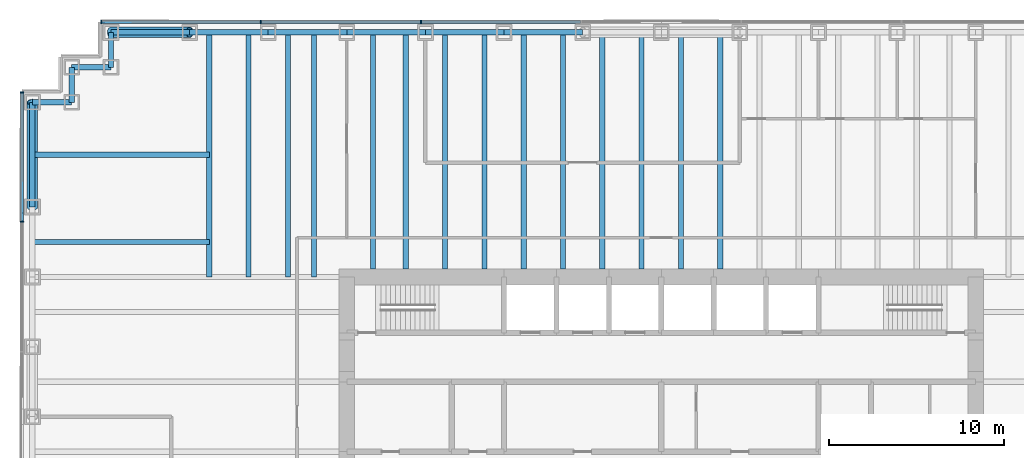
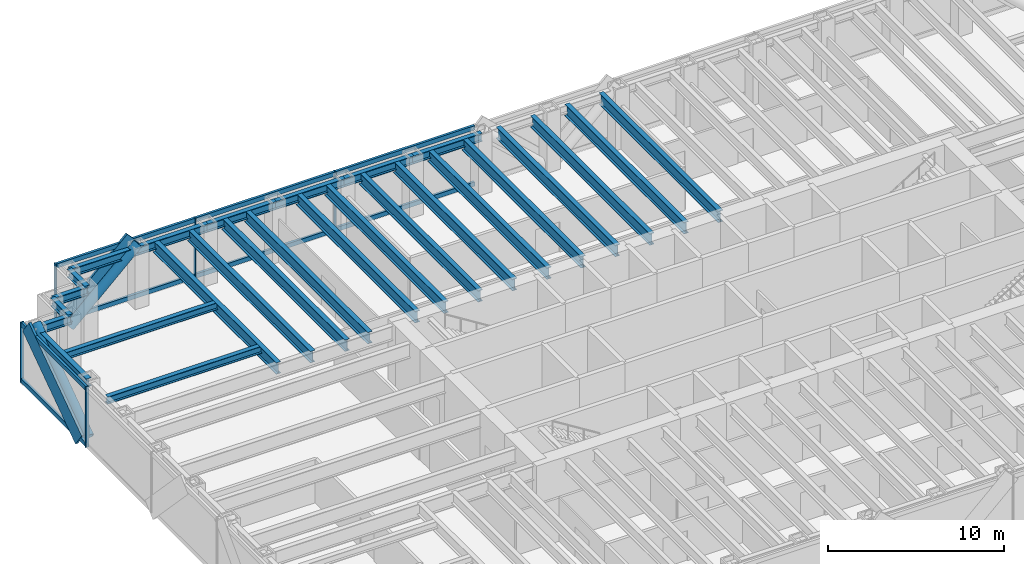
# One storey, part 6 of 15: 27 beams, 17 members, 2 elements without a shape of their own.
"""IFC4 building model written with IfcOpenShell, lengths in metres."""

from ifc_helpers import new_model, si_unit, direction, frame, origin, origin_2d, place, context, subcontext, project, spatial, rectangle, hollow_circle, i_section, extrude, material, material_profile, profile_set, type_object, element, aggregate, save


model = new_model("IFC4")

# Units and contexts
model_context = context("Model", 3, precision=1e-05, world=origin(), true_north=direction((0.0, 1.0)))
body_context = subcontext(model_context, "Body", "Model", "MODEL_VIEW")
ifc_project = project(units=[si_unit("LENGTHUNIT", "METRE"), si_unit("AREAUNIT", "SQUARE_METRE"), si_unit("VOLUMEUNIT", "CUBIC_METRE"), si_unit("PLANEANGLEUNIT", "RADIAN"), si_unit("MASSUNIT", "GRAM", prefix="KILO")], contexts=[model_context])

# Site, building, storey
site_placement = place(None, origin())
site = spatial("IfcSite", under=ifc_project, at=site_placement, CompositionType="ELEMENT")
building_placement = place(site_placement, origin())
building = spatial("IfcBuilding", under=site, at=building_placement, Name="Rheinbord Bourse Tower", CompositionType="ELEMENT")
storey_placement = place(building_placement, frame((0.0, 0.0, 155.10009765625)))
storey = spatial("IfcBuildingStorey", under=building, at=storey_placement, Name="L34", CompositionType="ELEMENT", Elevation=155.10009765625)

# Curtain wall, member
ifc_material_1 = material(Name="Dark glass and black aluminium", Category="aluminium")
curtain_wall_type = type_object("IfcCurtainWallType", Name="CW2 DARK GLASS CURTAIN WALL", PredefinedType="USERDEFINED", material=ifc_material_1)
curtain_wall_1_placement = place(storey_placement, origin())
curtain_wall_1 = element("IfcCurtainWall", 1, at=curtain_wall_1_placement, inside=storey, type_object=curtain_wall_type, Name="Curtain wall CW2 N L34", ObjectType="UNITISED CURTAIN WALL", PredefinedType="USERDEFINED")
ifc_material_2 = material(Name="Black anodised aluminium", Category="aluminium")
ifc_material_profile_1 = material_profile(ifc_material_2, rectangle(XDim=0.159912109375, YDim=1.2099609375, at=origin_2d()), Name="CW2 DIAGONAL MULLION 1210x160")
ifc_profile_set_1 = profile_set([ifc_material_profile_1], Name="Black anodised aluminium")
member_type_1 = type_object("IfcMemberType", Name="CW2 BLACK DIAGONAL MULLION", PredefinedType="USERDEFINED", material=ifc_profile_set_1)
member_1_placement = place(storey_placement, frame((4.5, 46.60009765625, 0.0), z_axis=(0.73105922506, 0.0, 0.682314010889), x_axis=(0.0, 1.0, 0.0)))
member_1 = element("IfcMember", 2, at=member_1_placement, type_object=member_type_1, Name="CW2 diagonal mullion d", ObjectType="DIAGONAL MULLION", PredefinedType="USERDEFINED", context=body_context, shape_type="SweptSolid", body=[
    extrude(rectangle(XDim=0.159912109375, YDim=1.2099609375, at=origin_2d()), origin(), (0.0, 0.0, 1.0), 6.155517578125),
])

curtain_wall_2_placement = place(storey_placement, origin())
curtain_wall_2 = element("IfcCurtainWall", 3, at=curtain_wall_2_placement, inside=storey, type_object=curtain_wall_type, Name="Curtain wall CW2 W L34", ObjectType="UNITISED CURTAIN WALL", PredefinedType="USERDEFINED")
member_2_placement = place(storey_placement, frame((-0.60009765625, 36.0, 0.0), z_axis=(0.0, 0.819235052632, 0.57345786989), x_axis=(-1.0, 0.0, 0.0)))
member_2 = element("IfcMember", 4, at=member_2_placement, type_object=member_type_1, Name="CW2 diagonal mullion b", ObjectType="DIAGONAL MULLION", PredefinedType="USERDEFINED", context=body_context, shape_type="SweptSolid", body=[
    extrude(rectangle(XDim=0.159912109375, YDim=1.2099609375, at=origin_2d()), origin(), (0.0, 0.0, 1.0), 7.323974609375),
])

# Member
ifc_material_3 = material(Name="Black anodised aluminium", Category="aluminium")
ifc_material_profile_2 = material_profile(ifc_material_3, rectangle(XDim=0.219970703125, YDim=0.070068359375, at=origin_2d()), Name="CW2 MULLION 70x220")
ifc_profile_set_2 = profile_set([ifc_material_profile_2], Name="Black anodised aluminium")
member_type_2 = type_object("IfcMemberType", Name="CW2 BLACK MULLION", PredefinedType="MULLION", material=ifc_profile_set_2)
member_3_placement = place(storey_placement, frame((22.242919921875, 46.60009765625, 0.0), z_axis=(0.0, 0.0, 1.0), x_axis=(0.0, -1.0, 0.0)))
member_3 = element("IfcMember", 5, at=member_3_placement, type_object=member_type_2, Name="CW2 mullion 6", PredefinedType="MULLION", context=body_context, shape_type="SweptSolid", body=[
    extrude(rectangle(XDim=0.219970703125, YDim=0.070068359375, at=origin_2d()), origin(), (0.0, 0.0, 1.0), 4.199951171875),
])

member_4_placement = place(storey_placement, frame((13.071533203125, 46.60009765625, 0.0), z_axis=(0.0, 0.0, 1.0), x_axis=(0.0, -1.0, 0.0)))
member_4 = element("IfcMember", 6, at=member_4_placement, type_object=member_type_2, Name="CW2 mullion 7", PredefinedType="MULLION", context=body_context, shape_type="SweptSolid", body=[
    extrude(rectangle(XDim=0.219970703125, YDim=0.070068359375, at=origin_2d()), origin(), (0.0, 0.0, 1.0), 4.199951171875),
])

member_5_placement = place(storey_placement, frame((3.93505859375, 46.60009765625, 0.0), z_axis=(0.0, 0.0, 1.0), x_axis=(0.0, -1.0, 0.0)))
member_5 = element("IfcMember", 7, at=member_5_placement, type_object=member_type_2, Name="CW2 mullion 8", PredefinedType="MULLION", context=body_context, shape_type="SweptSolid", body=[
    extrude(rectangle(XDim=0.219970703125, YDim=0.070068359375, at=origin_2d()), origin(), (0.0, 0.0, 1.0), 4.199951171875),
])

member_6_placement = place(storey_placement, frame((-0.60009765625, 42.56494140625, 0.0), z_axis=(0.0, 0.0, 1.0), x_axis=(1.0, 0.0, 0.0)))
member_6 = element("IfcMember", 8, at=member_6_placement, type_object=member_type_2, Name="CW2 mullion 1", PredefinedType="MULLION", context=body_context, shape_type="SweptSolid", body=[
    extrude(rectangle(XDim=0.219970703125, YDim=0.070068359375, at=origin_2d()), origin(), (0.0, 0.0, 1.0), 4.199951171875),
])

member_7_placement = place(storey_placement, frame((-0.60009765625, 35.159912109375, 0.0), z_axis=(0.0, 0.0, 1.0), x_axis=(1.0, 0.0, 0.0)))
member_7 = element("IfcMember", 9, at=member_7_placement, type_object=member_type_2, Name="CW2 mullion 2", PredefinedType="MULLION", context=body_context, shape_type="SweptSolid", body=[
    extrude(rectangle(XDim=0.219970703125, YDim=0.070068359375, at=origin_2d()), origin(), (0.0, 0.0, 1.0), 4.199951171875),
])

ifc_material_4 = material(Name="Black anodised aluminium", Category="aluminium")
ifc_material_profile_3 = material_profile(ifc_material_4, rectangle(XDim=0.159912109375, YDim=0.300048828125, at=origin_2d()), Name="CW2 TRANSOM 300x160")
ifc_profile_set_3 = profile_set([ifc_material_profile_3], Name="Black anodised aluminium")
member_type_3 = type_object("IfcMemberType", Name="CW2 BLACK TRANSOM", PredefinedType="USERDEFINED", material=ifc_profile_set_3)
member_8_placement = place(storey_placement, frame((31.37939453125, 46.60009765625, 0.14990234375), z_axis=(-1.0, 0.0, 0.0), x_axis=(0.0, -1.0, 0.0)))
member_8 = element("IfcMember", 10, at=member_8_placement, type_object=member_type_3, Name="CW2 transom 5.1", ObjectType="TRANSOM", PredefinedType="USERDEFINED", context=body_context, shape_type="SweptSolid", body=[
    extrude(rectangle(XDim=0.159912109375, YDim=0.300048828125, at=origin_2d()), origin(), (0.0, 0.0, 1.0), 9.1015625),
])

member_9_placement = place(storey_placement, frame((31.37939453125, 46.60009765625, 4.0498046875), z_axis=(-1.0, 0.0, 0.0), x_axis=(0.0, -1.0, 0.0)))
member_9 = element("IfcMember", 11, at=member_9_placement, type_object=member_type_3, Name="CW2 transom 5.2", ObjectType="TRANSOM", PredefinedType="USERDEFINED", context=body_context, shape_type="SweptSolid", body=[
    extrude(rectangle(XDim=0.159912109375, YDim=0.300048828125, at=origin_2d()), origin(), (0.0, 0.0, 1.0), 9.1015625),
])

member_10_placement = place(storey_placement, frame((22.207763671875, 46.60009765625, 0.14990234375), z_axis=(-1.0, 0.0, 0.0), x_axis=(0.0, -1.0, 0.0)))
member_10 = element("IfcMember", 12, at=member_10_placement, type_object=member_type_3, Name="CW2 transom 6.1", ObjectType="TRANSOM", PredefinedType="USERDEFINED", context=body_context, shape_type="SweptSolid", body=[
    extrude(rectangle(XDim=0.159912109375, YDim=0.300048828125, at=origin_2d()), origin(), (0.0, 0.0, 1.0), 9.101318359375),
])

member_11_placement = place(storey_placement, frame((22.207763671875, 46.60009765625, 4.0498046875), z_axis=(-1.0, 0.0, 0.0), x_axis=(0.0, -1.0, 0.0)))
member_11 = element("IfcMember", 13, at=member_11_placement, type_object=member_type_3, Name="CW2 transom 6.2", ObjectType="TRANSOM", PredefinedType="USERDEFINED", context=body_context, shape_type="SweptSolid", body=[
    extrude(rectangle(XDim=0.159912109375, YDim=0.300048828125, at=origin_2d()), origin(), (0.0, 0.0, 1.0), 9.101318359375),
])

member_12_placement = place(storey_placement, frame((13.036376953125, 46.60009765625, 0.14990234375), z_axis=(-1.0, 0.0, 0.0), x_axis=(0.0, -1.0, 0.0)))
member_12 = element("IfcMember", 14, at=member_12_placement, type_object=member_type_3, Name="CW2 transom 7.1", ObjectType="TRANSOM", PredefinedType="USERDEFINED", context=body_context, shape_type="SweptSolid", body=[
    extrude(rectangle(XDim=0.159912109375, YDim=0.300048828125, at=origin_2d()), origin(), (0.0, 0.0, 1.0), 9.06640625),
])

member_13_placement = place(storey_placement, frame((13.036376953125, 46.60009765625, 4.0498046875), z_axis=(-1.0, 0.0, 0.0), x_axis=(0.0, -1.0, 0.0)))
member_13 = element("IfcMember", 15, at=member_13_placement, type_object=member_type_3, Name="CW2 transom 7.2", ObjectType="TRANSOM", PredefinedType="USERDEFINED", context=body_context, shape_type="SweptSolid", body=[
    extrude(rectangle(XDim=0.159912109375, YDim=0.300048828125, at=origin_2d()), origin(), (0.0, 0.0, 1.0), 9.06640625),
])

aggregate(curtain_wall_1, [member_3, member_4, member_5, member_8, member_9, member_10, member_11, member_12, member_13, member_1])

member_14_placement = place(storey_placement, frame((-0.60009765625, 42.530029296875, 0.14990234375), z_axis=(0.0, -1.0, 0.0), x_axis=(1.0, 0.0, 0.0)))
member_14 = element("IfcMember", 16, at=member_14_placement, type_object=member_type_3, Name="CW2 transom 1.1", ObjectType="TRANSOM", PredefinedType="USERDEFINED", context=body_context, shape_type="SweptSolid", body=[
    extrude(rectangle(XDim=0.159912109375, YDim=0.300048828125, at=origin_2d()), origin(), (0.0, 0.0, 1.0), 7.3349609375),
])

member_15_placement = place(storey_placement, frame((-0.60009765625, 42.530029296875, 4.0498046875), z_axis=(0.0, -1.0, 0.0), x_axis=(1.0, 0.0, 0.0)))
member_15 = element("IfcMember", 17, at=member_15_placement, type_object=member_type_3, Name="CW2 transom 1.2", ObjectType="TRANSOM", PredefinedType="USERDEFINED", context=body_context, shape_type="SweptSolid", body=[
    extrude(rectangle(XDim=0.159912109375, YDim=0.300048828125, at=origin_2d()), origin(), (0.0, 0.0, 1.0), 7.3349609375),
])

aggregate(curtain_wall_2, [member_6, member_7, member_14, member_15, member_2])

# Beams
ifc_material_5 = material(Name="Steel S460", Category="steel")
ifc_material_profile_4 = material_profile(ifc_material_5, i_section(OverallWidth=0.300048828125, OverallDepth=0.800048828125, WebThickness=0.017578125, FlangeThickness=0.032958984375, at=origin_2d()), Name="HEB 800")
ifc_profile_set_4 = profile_set([ifc_material_profile_4], Name="Steel S460")
beam_type_1 = type_object("IfcBeamType", Name="FLOOR BEAM HEB 800", PredefinedType="BEAM", material=ifc_profile_set_4)
for number, where, z_axis, x_axis, name in (
    (18, (10.125, 46.0, 3.639892578125), (0.0, -1.0, 0.0), (1.0, 0.0, 0.0), "Floor beam N-9a L35"),
    (19, (12.375, 46.0, 3.639892578125), (0.0, -1.0, 0.0), (1.0, 0.0, 0.0), "Floor beam N-9b L35"),
    (20, (14.625, 46.0, 3.639892578125), (0.0, -1.0, 0.0), (1.0, 0.0, 0.0), "Floor beam N-13.5a L35"),
    (21, (16.125, 46.0, 3.639892578125), (0.0, -1.0, 0.0), (1.0, 0.0, 0.0), "Floor beam N-13.5b L35"),
):
    element("IfcBeam", number, at=place(storey_placement, frame(where, z_axis=z_axis, x_axis=x_axis)), inside=storey, type_object=beam_type_1, Name=name, PredefinedType="BEAM", context=body_context, shape_type="SweptSolid", body=[
        extrude(i_section(OverallWidth=0.300048828125, OverallDepth=0.800048828125, WebThickness=0.017578125, FlangeThickness=0.032958984375, at=origin_2d()), origin(), (0.0, 0.0, 1.0), 14.0),
    ])
for number, where, z_axis, x_axis, name in (
    (22, (19.5, 46.0, 3.639892578125), (0.0, -1.0, 0.0), (1.0, 0.0, 0.0), "Floor beam N-18a L35"),
    (23, (21.375, 46.0, 3.639892578125), (0.0, -1.0, 0.0), (1.0, 0.0, 0.0), "Floor beam N-18b L35"),
    (24, (23.625, 46.0, 3.639892578125), (0.0, -1.0, 0.0), (1.0, 0.0, 0.0), "Floor beam N-22.5a L35"),
    (25, (25.875, 46.0, 3.639892578125), (0.0, -1.0, 0.0), (1.0, 0.0, 0.0), "Floor beam N-22.5b L35"),
    (26, (28.125, 46.0, 3.639892578125), (0.0, -1.0, 0.0), (1.0, 0.0, 0.0), "Floor beam N-27a L35"),
    (27, (30.375, 46.0, 3.639892578125), (0.0, -1.0, 0.0), (1.0, 0.0, 0.0), "Floor beam N-27b L35"),
    (28, (32.625, 46.0, 3.639892578125), (0.0, -1.0, 0.0), (1.0, 0.0, 0.0), "Floor beam N-31.5a L35"),
    (29, (34.875, 46.0, 3.639892578125), (0.0, -1.0, 0.0), (1.0, 0.0, 0.0), "Floor beam N-31.5b L35"),
    (30, (37.125, 46.0, 3.639892578125), (0.0, -1.0, 0.0), (1.0, 0.0, 0.0), "Floor beam N-36a L35"),
    (31, (39.375, 46.0, 3.639892578125), (0.0, -1.0, 0.0), (1.0, 0.0, 0.0), "Floor beam N-36b L35"),
):
    element("IfcBeam", number, at=place(storey_placement, frame(where, z_axis=z_axis, x_axis=x_axis)), inside=storey, type_object=beam_type_1, Name=name, PredefinedType="BEAM", context=body_context, shape_type="SweptSolid", body=[
        extrude(i_section(OverallWidth=0.300048828125, OverallDepth=0.800048828125, WebThickness=0.017578125, FlangeThickness=0.032958984375, at=origin_2d()), origin(), (0.0, 0.0, 1.0), 13.550048828125),
    ])

# Members
ifc_material_6 = material(Name="Steel S460", Category="steel")
ifc_material_profile_5 = material_profile(ifc_material_6, hollow_circle(Radius=0.304931640625, WallThickness=0.0400390625, at=origin_2d()), Name="CHS 610x40")
ifc_profile_set_5 = profile_set([ifc_material_profile_5], Name="Steel S460")
member_type_4 = type_object("IfcMemberType", Name="MEGABRACE CHS 610x40", PredefinedType="BRACE", material=ifc_profile_set_5)
member_16_placement = place(storey_placement, frame((4.5, 46.0, 0.0), z_axis=(0.73105922506, 0.0, 0.682314010889), x_axis=(0.0, 1.0, 0.0)))
element("IfcMember", 32, at=member_16_placement, inside=storey, type_object=member_type_4, Name="Megabrace N face line d L34", PredefinedType="BRACE", context=body_context, shape_type="SweptSolid", body=[
    extrude(hollow_circle(Radius=0.304931640625, WallThickness=0.0400390625, at=origin_2d()), origin(), (0.0, 0.0, 1.0), 6.155517578125),
])
member_17_placement = place(storey_placement, frame((0.0, 36.0, 0.0), z_axis=(0.0, 0.819235052632, 0.57345786989), x_axis=(-1.0, 0.0, 0.0)))
element("IfcMember", 33, at=member_17_placement, inside=storey, type_object=member_type_4, Name="Megabrace W face line b L34", PredefinedType="BRACE", context=body_context, shape_type="SweptSolid", body=[
    extrude(hollow_circle(Radius=0.304931640625, WallThickness=0.0400390625, at=origin_2d()), origin(), (0.0, 0.0, 1.0), 7.323974609375),
])

# Beams
ifc_material_7 = material(Name="Steel S460", Category="steel")
ifc_material_profile_6 = material_profile(ifc_material_7, i_section(OverallWidth=0.305908203125, OverallDepth=0.572021484375, WebThickness=0.02099609375, FlangeThickness=0.0400390625, at=origin_2d()), Name="HEM 550")
ifc_profile_set_6 = profile_set([ifc_material_profile_6], Name="Steel S460")
beam_type_2 = type_object("IfcBeamType", Name="SPANDREL HEM 550", PredefinedType="SPANDREL", material=ifc_profile_set_6)
for number, where, z_axis, x_axis, name in (
    (34, (31.5, 46.0, 3.75390625), (-1.0, 0.0, 0.0), (0.0, -1.0, 0.0), "Spandrel N-31.5-N-27 under L35"),
    (35, (27.0, 46.0, 3.75390625), (-1.0, 0.0, 0.0), (0.0, -1.0, 0.0), "Spandrel N-27-N-22.5 under L35"),
    (36, (22.5, 46.0, 3.75390625), (-1.0, 0.0, 0.0), (0.0, -1.0, 0.0), "Spandrel N-22.5-N-18 under L35"),
    (37, (18.0, 46.0, 3.75390625), (-1.0, 0.0, 0.0), (0.0, -1.0, 0.0), "Spandrel N-18-N-13.5 under L35"),
    (38, (13.5, 46.0, 3.75390625), (-1.0, 0.0, 0.0), (0.0, -1.0, 0.0), "Spandrel N-13.5-N-9 under L35"),
    (39, (9.0, 46.0, 3.75390625), (-1.0, 0.0, 0.0), (0.0, -1.0, 0.0), "Spandrel N-9-NW-E under L35"),
):
    element("IfcBeam", number, at=place(storey_placement, frame(where, z_axis=z_axis, x_axis=x_axis)), inside=storey, type_object=beam_type_2, Name=name, PredefinedType="SPANDREL", context=body_context, shape_type="SweptSolid", body=[
        extrude(i_section(OverallWidth=0.305908203125, OverallDepth=0.572021484375, WebThickness=0.02099609375, FlangeThickness=0.0400390625, at=origin_2d()), origin(), (0.0, 0.0, 1.0), 4.5),
    ])
beam_1_placement = place(storey_placement, frame((4.5, 46.0, 3.75390625), z_axis=(0.0, -1.0, 0.0), x_axis=(1.0, 0.0, 0.0)))
element("IfcBeam", 40, at=beam_1_placement, inside=storey, type_object=beam_type_2, Name="Spandrel NW-E-NW-D under L35", PredefinedType="SPANDREL", context=body_context, shape_type="SweptSolid", body=[
    extrude(i_section(OverallWidth=0.305908203125, OverallDepth=0.572021484375, WebThickness=0.02099609375, FlangeThickness=0.0400390625, at=origin_2d()), origin(), (0.0, 0.0, 1.0), 2.0),
])
beam_2_placement = place(storey_placement, frame((4.5, 44.0, 3.75390625), z_axis=(-1.0, 0.0, 0.0), x_axis=(0.0, -1.0, 0.0)))
element("IfcBeam", 41, at=beam_2_placement, inside=storey, type_object=beam_type_2, Name="Spandrel NW-D-NW-C under L35", PredefinedType="SPANDREL", context=body_context, shape_type="SweptSolid", body=[
    extrude(i_section(OverallWidth=0.305908203125, OverallDepth=0.572021484375, WebThickness=0.02099609375, FlangeThickness=0.0400390625, at=origin_2d()), origin(), (0.0, 0.0, 1.0), 2.25),
])
beam_3_placement = place(storey_placement, frame((2.25, 44.0, 3.75390625), z_axis=(0.0, -1.0, 0.0), x_axis=(1.0, 0.0, 0.0)))
element("IfcBeam", 42, at=beam_3_placement, inside=storey, type_object=beam_type_2, Name="Spandrel NW-C-NW-B under L35", PredefinedType="SPANDREL", context=body_context, shape_type="SweptSolid", body=[
    extrude(i_section(OverallWidth=0.305908203125, OverallDepth=0.572021484375, WebThickness=0.02099609375, FlangeThickness=0.0400390625, at=origin_2d()), origin(), (0.0, 0.0, 1.0), 2.0),
])
beam_4_placement = place(storey_placement, frame((2.25, 42.0, 3.75390625), z_axis=(-1.0, 0.0, 0.0), x_axis=(0.0, -1.0, 0.0)))
element("IfcBeam", 43, at=beam_4_placement, inside=storey, type_object=beam_type_2, Name="Spandrel NW-B-NW-A under L35", PredefinedType="SPANDREL", context=body_context, shape_type="SweptSolid", body=[
    extrude(i_section(OverallWidth=0.305908203125, OverallDepth=0.572021484375, WebThickness=0.02099609375, FlangeThickness=0.0400390625, at=origin_2d()), origin(), (0.0, 0.0, 1.0), 2.25),
])
beam_5_placement = place(storey_placement, frame((0.0, 42.0, 3.75390625), z_axis=(0.0, -1.0, 0.0), x_axis=(1.0, 0.0, 0.0)))
element("IfcBeam", 44, at=beam_5_placement, inside=storey, type_object=beam_type_2, Name="Spandrel NW-A-W-36 under L35", PredefinedType="SPANDREL", context=body_context, shape_type="SweptSolid", body=[
    extrude(i_section(OverallWidth=0.305908203125, OverallDepth=0.572021484375, WebThickness=0.02099609375, FlangeThickness=0.0400390625, at=origin_2d()), origin(), (0.0, 0.0, 1.0), 6.0),
])
ifc_material_8 = material(Name="Steel S460", Category="steel")
ifc_material_profile_7 = material_profile(ifc_material_8, i_section(OverallWidth=0.300048828125, OverallDepth=0.5, WebThickness=0.014404296875, FlangeThickness=0.028076171875, at=origin_2d()), Name="HEB 500")
ifc_profile_set_7 = profile_set([ifc_material_profile_7], Name="Steel S460")
beam_type_3 = type_object("IfcBeamType", Name="TIE BEAM HEB 500", PredefinedType="JOIST", material=ifc_profile_set_7)
for number, where, z_axis, x_axis, name in (
    (45, (0.0, 34.0, 3.789794921875), (1.0, 0.0, 0.0), (0.0, 1.0, 0.0), "Tie west 34 L35"),
    (46, (0.0, 39.0, 3.789794921875), (1.0, 0.0, 0.0), (0.0, 1.0, 0.0), "Tie west 39 L35"),
):
    element("IfcBeam", number, at=place(storey_placement, frame(where, z_axis=z_axis, x_axis=x_axis)), inside=storey, type_object=beam_type_3, Name=name, PredefinedType="JOIST", context=body_context, shape_type="SweptSolid", body=[
        extrude(i_section(OverallWidth=0.300048828125, OverallDepth=0.5, WebThickness=0.014404296875, FlangeThickness=0.028076171875, at=origin_2d()), origin(), (0.0, 0.0, 1.0), 10.125),
    ])

save(model, "model.ifc")
